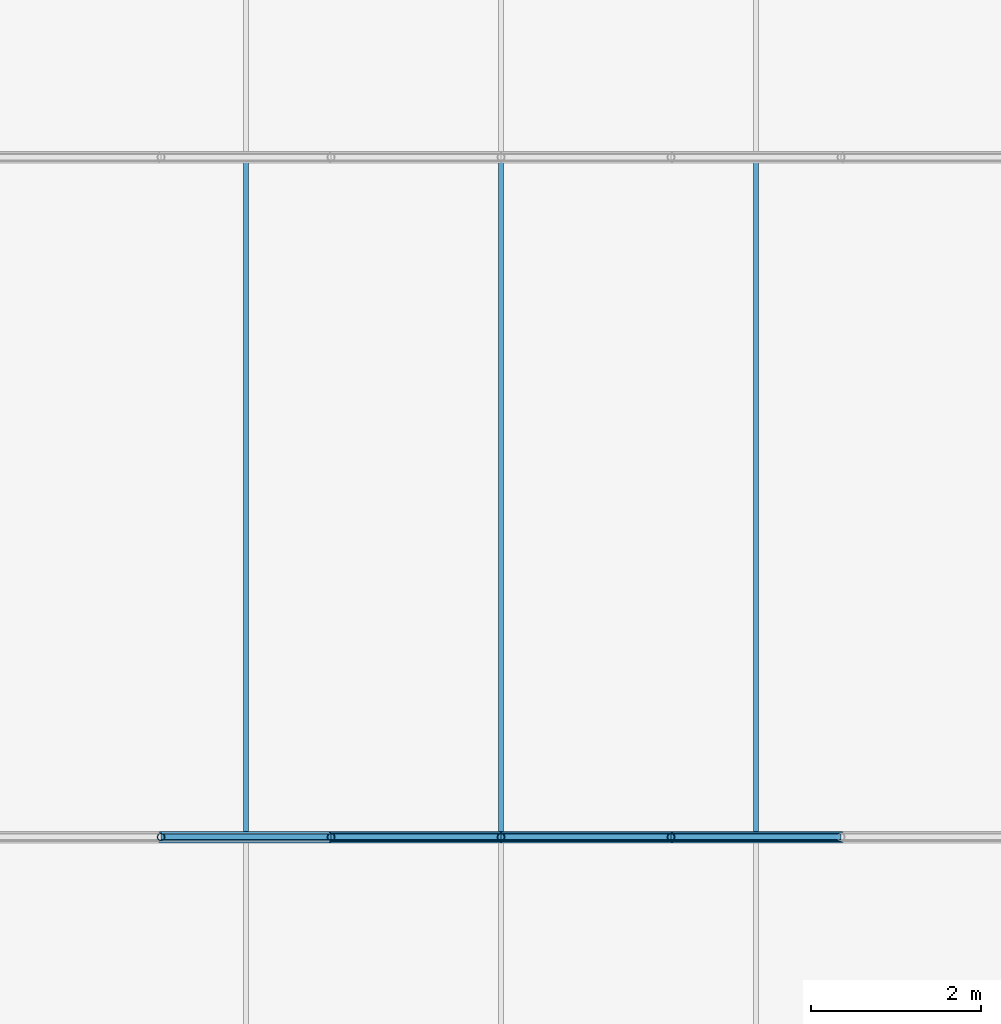
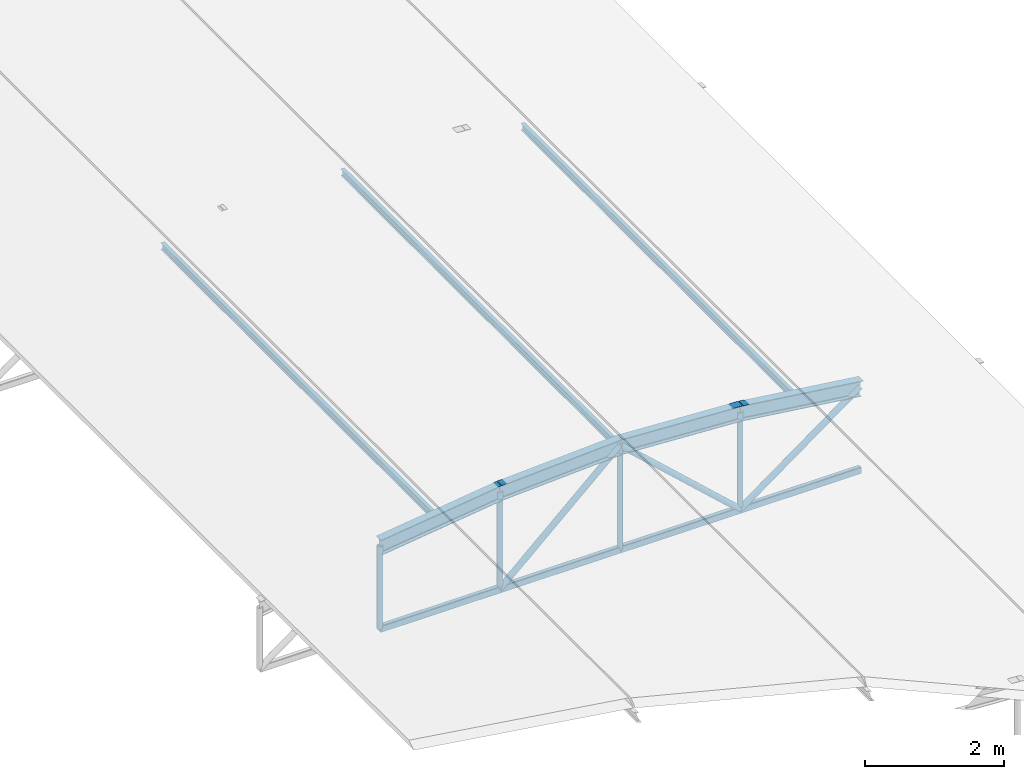
# One storey, part 14 of 54: 18 members.
"""IFC4 building model written with IfcOpenShell, lengths in metres."""

from ifc_helpers import new_model, si_unit, derived_unit, direction, frame, origin, origin_2d, place, context, subcontext, project, spatial, hollow_rectangle, hollow_circle, i_section, extrude, material, material_profile, profile_set, type_object, element, save


model = new_model("IFC4")

# Units and contexts
model_context = context("Model", 3, precision=1e-05, world=origin(), true_north=direction((0.0, 1.0)))
body_context = subcontext(model_context, "Body", "Model", "MODEL_VIEW")
ifc_project = project(units=[si_unit("LENGTHUNIT", "METRE"), si_unit("AREAUNIT", "SQUARE_METRE"), si_unit("VOLUMEUNIT", "CUBIC_METRE"), si_unit("PLANEANGLEUNIT", "RADIAN"), si_unit("MASSUNIT", "GRAM", prefix="KILO"), derived_unit("THERMALTRANSMITTANCEUNIT", [(si_unit("POWERUNIT", "WATT"), 1), (si_unit("LENGTHUNIT", "METRE"), -2), (si_unit("THERMODYNAMICTEMPERATUREUNIT", "KELVIN"), -1)])], contexts=[model_context])

# Site, building, storey
site_placement = place(None, origin())
site = spatial("IfcSite", under=ifc_project, at=site_placement, CompositionType="ELEMENT")
building_placement = place(site_placement, origin())
building = spatial("IfcBuilding", under=site, at=building_placement, Name="Keldorne Ridge Multi-Sports Centre", CompositionType="ELEMENT")
storey_placement = place(building_placement, frame((0.0, 0.0, 22.199951171875)))
storey = spatial("IfcBuildingStorey", under=building, at=storey_placement, Name="ROOF", CompositionType="ELEMENT", Elevation=22.199951171875)

# Members
ifc_material = material(Name="Steel S355", Category="steel")
ifc_material_profile_1 = material_profile(ifc_material, i_section(OverallWidth=0.06396484375, OverallDepth=0.1201171875, WebThickness=0.00439453125, FlangeThickness=0.00634765625, FilletRadius=0.007080078125, at=origin_2d()), Name="IPE 120")
ifc_profile_set_1 = profile_set([ifc_material_profile_1], Name="Steel S355")
member_type_1 = type_object("IfcMemberType", Name="MEM-PR-05", PredefinedType="PURLIN", material=ifc_profile_set_1)
for number, where, z_axis, x_axis, name in (
    (1, (87.0, 22.0, -12.179931640625), (0.0, 1.0, 0.0), (-1.0, 0.0, 0.0), "Public Passage canopy purlin 87.3"),
    (2, (90.0, 22.0, -11.929931640625), (0.0, 1.0, 0.0), (-1.0, 0.0, 0.0), "Public Passage canopy purlin 90.3"),
    (3, (93.0, 22.0, -12.179931640625), (0.0, 1.0, 0.0), (-1.0, 0.0, 0.0), "Public Passage canopy purlin 93.3"),
):
    element("IfcMember", number, at=place(storey_placement, frame(where, z_axis=z_axis, x_axis=x_axis)), inside=storey, type_object=member_type_1, Name=name, PredefinedType="PURLIN", context=body_context, shape_type="SweptSolid", body=[
        extrude(i_section(OverallWidth=0.06396484375, OverallDepth=0.1201171875, WebThickness=0.00439453125, FlangeThickness=0.00634765625, FilletRadius=0.007080078125, at=origin_2d()), origin(), (0.0, 0.0, 1.0), 8.0),
    ])
ifc_material_profile_2 = material_profile(ifc_material, i_section(OverallWidth=0.135009765625, OverallDepth=0.27001953125, WebThickness=0.006591796875, FlangeThickness=0.01025390625, FilletRadius=0.014892578125, at=origin_2d()), Name="IPE 270")
ifc_profile_set_2 = profile_set([ifc_material_profile_2], Name="Steel S355")
member_type_2 = type_object("IfcMemberType", Name="MEM-RF-02", PredefinedType="RAFTER", material=ifc_profile_set_2)
member_1_placement = place(storey_placement, frame((86.0, 22.0, -12.260009765625), z_axis=(0.991654998325, 0.0, 0.128919991848), x_axis=(0.0, 1.0, 0.0)))
element("IfcMember", 4, at=member_1_placement, inside=storey, type_object=member_type_2, Name="Public Passage bowstring arch top chord 03.2", PredefinedType="RAFTER", context=body_context, shape_type="SweptSolid", body=[
    extrude(i_section(OverallWidth=0.135009765625, OverallDepth=0.27001953125, WebThickness=0.006591796875, FlangeThickness=0.01025390625, FilletRadius=0.014892578125, at=origin_2d()), origin(), (0.0, 0.0, 1.0), 2.016845703125),
])
for number, where, z_axis, x_axis, name in (
    (5, (88.0, 22.0, -12.0), (0.998487980686, 0.0, 0.054970468663), (0.0, 1.0, 0.0), "Public Passage bowstring arch top chord 03.3"),
    (6, (90.0, 22.0, -11.889892578125), (0.998487980686, 0.0, -0.054970468663), (0.0, 1.0, 0.0), "Public Passage bowstring arch top chord 03.4"),
):
    element("IfcMember", number, at=place(storey_placement, frame(where, z_axis=z_axis, x_axis=x_axis)), inside=storey, type_object=member_type_2, Name=name, PredefinedType="RAFTER", context=body_context, shape_type="SweptSolid", body=[
        extrude(i_section(OverallWidth=0.135009765625, OverallDepth=0.27001953125, WebThickness=0.006591796875, FlangeThickness=0.01025390625, FilletRadius=0.014892578125, at=origin_2d()), origin(), (0.0, 0.0, 1.0), 2.0029296875),
    ])
member_2_placement = place(storey_placement, frame((92.0, 22.0, -12.0), z_axis=(0.991654998325, 0.0, -0.128919991848), x_axis=(0.0, 1.0, 0.0)))
element("IfcMember", 7, at=member_2_placement, inside=storey, type_object=member_type_2, Name="Public Passage bowstring arch top chord 03.5", PredefinedType="RAFTER", context=body_context, shape_type="SweptSolid", body=[
    extrude(i_section(OverallWidth=0.135009765625, OverallDepth=0.27001953125, WebThickness=0.006591796875, FlangeThickness=0.01025390625, FilletRadius=0.014892578125, at=origin_2d()), origin(), (0.0, 0.0, 1.0), 2.016845703125),
])
ifc_material_profile_3 = material_profile(ifc_material, hollow_rectangle(XDim=0.080078125, YDim=0.1201171875, WallThickness=0.008056640625, InnerFilletRadius=0.008056640625, OuterFilletRadius=0.01611328125, at=origin_2d()), Name="RHS 120x80x8")
ifc_profile_set_3 = profile_set([ifc_material_profile_3], Name="Steel S355")
member_type_3 = type_object("IfcMemberType", Name="MEM-TC-07", PredefinedType="CHORD", material=ifc_profile_set_3)
for number, where, z_axis, x_axis, name in (
    (8, (86.0, 22.0, -13.719970703125), (1.0, 0.0, 0.0), (0.0, 1.0, 0.0), "Public Passage bowstring tie chord 03.2"),
    (9, (88.0, 22.0, -13.719970703125), (1.0, 0.0, 0.0), (0.0, 1.0, 0.0), "Public Passage bowstring tie chord 03.3"),
    (10, (90.0, 22.0, -13.719970703125), (1.0, 0.0, 0.0), (0.0, 1.0, 0.0), "Public Passage bowstring tie chord 03.4"),
    (11, (92.0, 22.0, -13.719970703125), (1.0, 0.0, 0.0), (0.0, 1.0, 0.0), "Public Passage bowstring tie chord 03.5"),
):
    element("IfcMember", number, at=place(storey_placement, frame(where, z_axis=z_axis, x_axis=x_axis)), inside=storey, type_object=member_type_3, Name=name, PredefinedType="CHORD", context=body_context, shape_type="SweptSolid", body=[
        extrude(hollow_rectangle(XDim=0.080078125, YDim=0.1201171875, WallThickness=0.008056640625, InnerFilletRadius=0.008056640625, OuterFilletRadius=0.01611328125, at=origin_2d()), origin(), (0.0, 0.0, 1.0), 2.0),
    ])
ifc_material_profile_4 = material_profile(ifc_material, hollow_circle(Radius=0.05078125, WallThickness=0.00634765625, at=origin_2d()), Name="CHS 101.6x6.3")
ifc_profile_set_4 = profile_set([ifc_material_profile_4], Name="Steel S355")
member_type_4 = type_object("IfcMemberType", Name="MEM-TD-05", PredefinedType="BRACE", material=ifc_profile_set_4)
for number, where, z_axis, x_axis, name in (
    (12, (88.0, 22.0, -13.719970703125), (0.737751969913, 0.0, 0.675071870907), (0.0, 1.0, 0.0), "Public Passage bowstring web diagonal 03.3"),
    (13, (90.0, 22.0, -11.889892578125), (0.737751969913, 0.0, -0.675071870907), (0.0, 1.0, 0.0), "Public Passage bowstring web diagonal 03.4"),
):
    element("IfcMember", number, at=place(storey_placement, frame(where, z_axis=z_axis, x_axis=x_axis)), inside=storey, type_object=member_type_4, Name=name, PredefinedType="BRACE", context=body_context, shape_type="SweptSolid", body=[
        extrude(hollow_circle(Radius=0.05078125, WallThickness=0.00634765625, at=origin_2d()), origin(), (0.0, 0.0, 1.0), 2.7109375),
    ])
member_3_placement = place(storey_placement, frame((92.0, 22.0, -13.719970703125), z_axis=(0.8076945033, 0.0, 0.589601212125), x_axis=(0.0, 1.0, 0.0)))
element("IfcMember", 14, at=member_3_placement, inside=storey, type_object=member_type_4, Name="Public Passage bowstring web diagonal 03.5", PredefinedType="BRACE", context=body_context, shape_type="SweptSolid", body=[
    extrude(hollow_circle(Radius=0.05078125, WallThickness=0.00634765625, at=origin_2d()), origin(), (0.0, 0.0, 1.0), 2.47607421875),
])
ifc_material_profile_5 = material_profile(ifc_material, hollow_circle(Radius=0.04443359375, WallThickness=0.0048828125, at=origin_2d()), Name="CHS 88.9x5")
ifc_profile_set_5 = profile_set([ifc_material_profile_5], Name="Steel S355")
member_type_5 = type_object("IfcMemberType", Name="MEM-TV-07", PredefinedType="STRUT", material=ifc_profile_set_5)
member_4_placement = place(storey_placement, frame((86.0, 22.0, -13.719970703125), z_axis=(0.0, 0.0, 1.0), x_axis=(1.0, 0.0, 0.0)))
element("IfcMember", 15, at=member_4_placement, inside=storey, type_object=member_type_5, Name="Public Passage bowstring hanger 03.2", PredefinedType="STRUT", context=body_context, shape_type="SweptSolid", body=[
    extrude(hollow_circle(Radius=0.04443359375, WallThickness=0.0048828125, at=origin_2d()), origin(), (0.0, 0.0, 1.0), 1.4599609375),
])
member_5_placement = place(storey_placement, frame((88.0, 22.0, -13.719970703125), z_axis=(0.0, 0.0, 1.0), x_axis=(1.0, 0.0, 0.0)))
element("IfcMember", 16, at=member_5_placement, inside=storey, type_object=member_type_5, Name="Public Passage bowstring hanger 03.3", PredefinedType="STRUT", context=body_context, shape_type="SweptSolid", body=[
    extrude(hollow_circle(Radius=0.04443359375, WallThickness=0.0048828125, at=origin_2d()), origin(), (0.0, 0.0, 1.0), 1.719970703125),
])
member_6_placement = place(storey_placement, frame((90.0, 22.0, -13.719970703125), z_axis=(0.0, 0.0, 1.0), x_axis=(1.0, 0.0, 0.0)))
element("IfcMember", 17, at=member_6_placement, inside=storey, type_object=member_type_5, Name="Public Passage bowstring hanger 03.4", PredefinedType="STRUT", context=body_context, shape_type="SweptSolid", body=[
    extrude(hollow_circle(Radius=0.04443359375, WallThickness=0.0048828125, at=origin_2d()), origin(), (0.0, 0.0, 1.0), 1.830078125),
])
member_7_placement = place(storey_placement, frame((92.0, 22.0, -13.719970703125), z_axis=(0.0, 0.0, 1.0), x_axis=(1.0, 0.0, 0.0)))
element("IfcMember", 18, at=member_7_placement, inside=storey, type_object=member_type_5, Name="Public Passage bowstring hanger 03.5", PredefinedType="STRUT", context=body_context, shape_type="SweptSolid", body=[
    extrude(hollow_circle(Radius=0.04443359375, WallThickness=0.0048828125, at=origin_2d()), origin(), (0.0, 0.0, 1.0), 1.719970703125),
])

save(model, "model.ifc")
